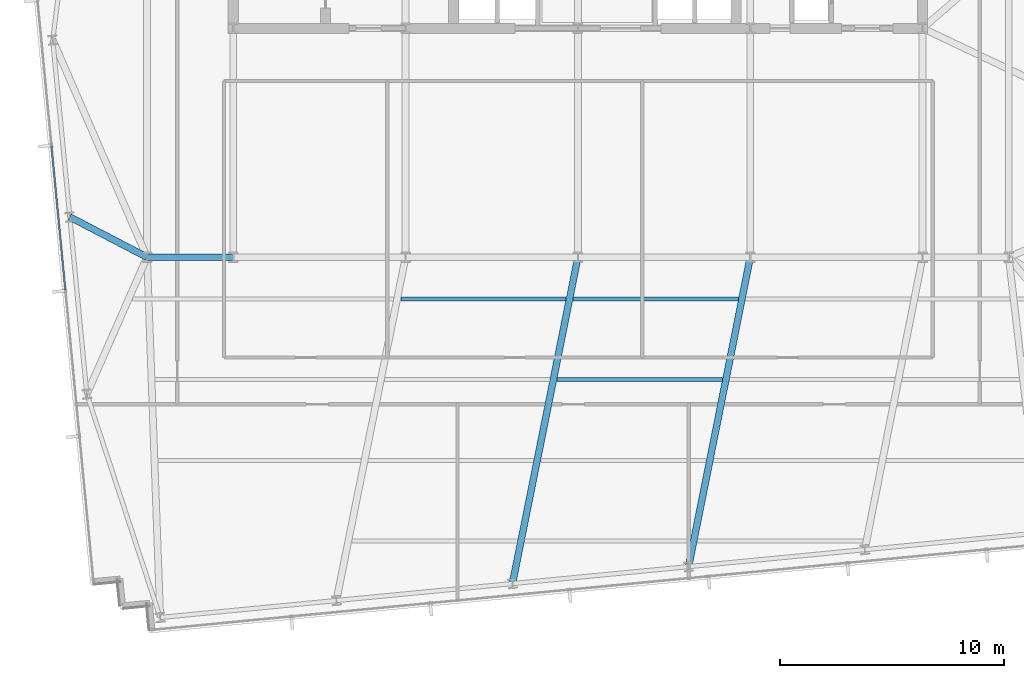
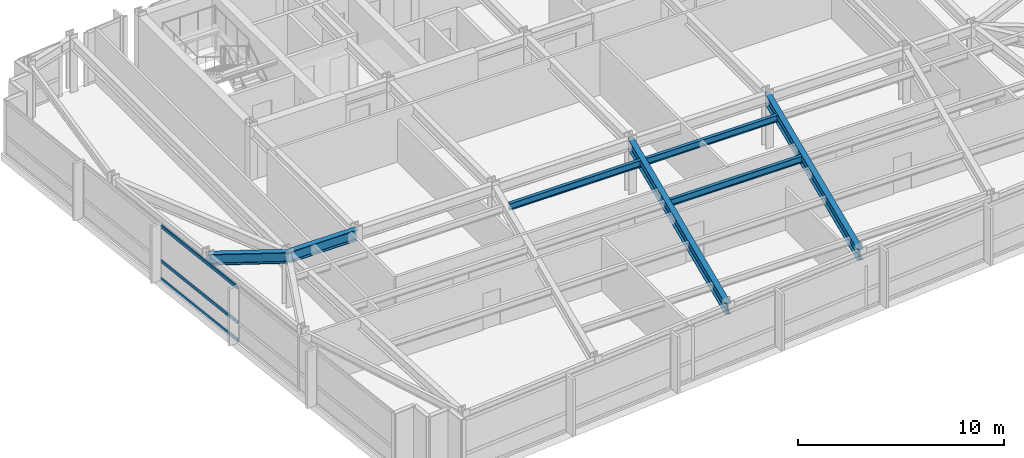
# One storey, part 6 of 33: 7 beams, 3 members, 1 element without a shape of its own.
"""IFC4 building model written with IfcOpenShell, lengths in metres."""

from ifc_helpers import new_model, si_unit, direction, frame, origin, origin_2d, place, context, subcontext, project, spatial, hollow_rectangle, i_section, extrude, material, material_profile, profile_set, type_object, element, aggregate, save


model = new_model("IFC4")

# Units and contexts
model_context = context("Model", 3, precision=1e-05, world=origin(), true_north=direction((0.0, 1.0)))
body_context = subcontext(model_context, "Body", "Model", "MODEL_VIEW")
ifc_project = project(units=[si_unit("LENGTHUNIT", "METRE"), si_unit("AREAUNIT", "SQUARE_METRE"), si_unit("VOLUMEUNIT", "CUBIC_METRE"), si_unit("PLANEANGLEUNIT", "RADIAN"), si_unit("MASSUNIT", "GRAM", prefix="KILO")], contexts=[model_context])

# Site, building, storey
site_placement = place(None, origin())
site = spatial("IfcSite", under=ifc_project, at=site_placement, CompositionType="ELEMENT")
building_placement = place(site_placement, origin())
building = spatial("IfcBuilding", under=site, at=building_placement, Name="Yelkora Congress Tower", CompositionType="ELEMENT")
storey_placement = place(building_placement, frame((0.0, 0.0, 89.699951171875)))
storey = spatial("IfcBuildingStorey", under=building, at=storey_placement, Name="L23", CompositionType="ELEMENT", Elevation=89.699951171875)

# Beams
ifc_material_1 = material(Name="Steel S355J2", Category="steel")
ifc_material_profile_1 = material_profile(ifc_material_1, i_section(OverallWidth=0.300048828125, OverallDepth=0.64990234375, WebThickness=0.01611328125, FlangeThickness=0.031005859375, FilletRadius=0.027099609375, at=origin_2d()), Name="HEB 650")
ifc_profile_set_1 = profile_set([ifc_material_profile_1], Name="Steel S355J2")
beam_type_1 = type_object("IfcBeamType", Name="BM-GIRD-HEB650", PredefinedType="BEAM", material=ifc_profile_set_1)
beam_1_placement = place(storey_placement, frame((19.199951171875, 25.199951171875, 2.85498046875), z_axis=(1.0, 0.0, 0.0), x_axis=(0.0, 1.0, 0.0)))
element("IfcBeam", 1, at=beam_1_placement, inside=storey, type_object=beam_type_1, Name="L23 Spine Grid D Girder 1", PredefinedType="BEAM", context=body_context, shape_type="SweptSolid", body=[
    extrude(i_section(OverallWidth=0.300048828125, OverallDepth=0.64990234375, WebThickness=0.01611328125, FlangeThickness=0.031005859375, FilletRadius=0.027099609375, at=origin_2d()), origin(), (0.0, 0.0, 1.0), 3.840087890625),
])
beam_2_placement = place(storey_placement, frame((35.48486328125, 10.656005859375, 2.85498046875), z_axis=(0.196521264673, 0.980499562739, 0.0), x_axis=(-0.980499562739, 0.196521264673, 0.0)))
element("IfcBeam", 2, at=beam_2_placement, inside=storey, type_object=beam_type_1, Name="L23 Primary Frame Girder S03", PredefinedType="BEAM", context=body_context, shape_type="SweptSolid", body=[
    extrude(i_section(OverallWidth=0.300048828125, OverallDepth=0.64990234375, WebThickness=0.01611328125, FlangeThickness=0.031005859375, FilletRadius=0.027099609375, at=origin_2d()), origin(), (0.0, 0.0, 1.0), 14.833251953125),
])
beam_3_placement = place(storey_placement, frame((43.334228515625, 11.411865234375, 2.85498046875), z_axis=(0.195311238928, 0.980741311432, 0.0), x_axis=(-0.980741311432, 0.195311238928, 0.0)))
element("IfcBeam", 3, at=beam_3_placement, inside=storey, type_object=beam_type_1, Name="L23 Primary Frame Girder S04", PredefinedType="BEAM", context=body_context, shape_type="SweptSolid", body=[
    extrude(i_section(OverallWidth=0.300048828125, OverallDepth=0.64990234375, WebThickness=0.01611328125, FlangeThickness=0.031005859375, FilletRadius=0.027099609375, at=origin_2d()), origin(), (0.0, 0.0, 1.0), 14.058837890625),
])
beam_4_placement = place(storey_placement, frame((15.757080078125, 26.990478515625, 2.85498046875), z_axis=(0.887192078676, -0.461400276912, 0.0), x_axis=(0.461400276912, 0.887192078676, 0.0)))
element("IfcBeam", 4, at=beam_4_placement, inside=storey, type_object=beam_type_1, Name="L23 Primary Frame Girder W02", PredefinedType="BEAM", context=body_context, shape_type="SweptSolid", body=[
    extrude(i_section(OverallWidth=0.300048828125, OverallDepth=0.64990234375, WebThickness=0.01611328125, FlangeThickness=0.031005859375, FilletRadius=0.027099609375, at=origin_2d()), origin(), (0.0, 0.0, 1.0), 3.880615234375),
])
ifc_material_profile_2 = material_profile(ifc_material_1, i_section(OverallWidth=0.179931640625, OverallDepth=0.39990234375, WebThickness=0.008544921875, FlangeThickness=0.013427734375, FilletRadius=0.02099609375, at=origin_2d()), Name="IPE 400")
ifc_profile_set_2 = profile_set([ifc_material_profile_2], Name="Steel S355J2")
beam_type_2 = type_object("IfcBeamType", Name="BM-JOIST-IPE400", PredefinedType="JOIST", material=ifc_profile_set_2)
beam_5_placement = place(storey_placement, frame((37.466552734375, 19.744384765625, 2.97998046875), z_axis=(1.0, 0.0, 0.0), x_axis=(0.0, 1.0, 0.0)))
element("IfcBeam", 5, at=beam_5_placement, inside=storey, type_object=beam_type_2, Name="L23 Composite Floor Joist 13", PredefinedType="JOIST", context=body_context, shape_type="SweptSolid", body=[
    extrude(i_section(OverallWidth=0.179931640625, OverallDepth=0.39990234375, WebThickness=0.008544921875, FlangeThickness=0.013427734375, FilletRadius=0.02099609375, at=origin_2d()), origin(), (0.0, 0.0, 1.0), 7.366943359375),
])
beam_6_placement = place(storey_placement, frame((30.505859375, 23.344482421875, 2.97998046875), z_axis=(1.0, 0.0, 0.0), x_axis=(0.0, 1.0, 0.0)))
element("IfcBeam", 6, at=beam_6_placement, inside=storey, type_object=beam_type_2, Name="L23 Composite Floor Joist 19", PredefinedType="JOIST", context=body_context, shape_type="SweptSolid", body=[
    extrude(i_section(OverallWidth=0.179931640625, OverallDepth=0.39990234375, WebThickness=0.008544921875, FlangeThickness=0.013427734375, FilletRadius=0.02099609375, at=origin_2d()), origin(), (0.0, 0.0, 1.0), 7.3623046875),
])
beam_7_placement = place(storey_placement, frame((38.18798828125, 23.344482421875, 2.97998046875), z_axis=(1.0, 0.0, 0.0), x_axis=(0.0, 1.0, 0.0)))
element("IfcBeam", 7, at=beam_7_placement, inside=storey, type_object=beam_type_2, Name="L23 Composite Floor Joist 20", PredefinedType="JOIST", context=body_context, shape_type="SweptSolid", body=[
    extrude(i_section(OverallWidth=0.179931640625, OverallDepth=0.39990234375, WebThickness=0.008544921875, FlangeThickness=0.013427734375, FilletRadius=0.02099609375, at=origin_2d()), origin(), (0.0, 0.0, 1.0), 7.362548828125),
])

# Curtain wall, members
ifc_material_2 = material(Name="Anodised aluminium and insulated glass", Category="aluminium")
curtain_wall_type = type_object("IfcCurtainWallType", Name="CW-SYS-SKY", PredefinedType="NOTDEFINED", material=ifc_material_2)
curtain_wall_placement = place(storey_placement, origin())
curtain_wall = element("IfcCurtainWall", 8, at=curtain_wall_placement, inside=storey, type_object=curtain_wall_type, Name="L23 Unitised Curtain Wall 5", PredefinedType="NOTDEFINED")
ifc_material_3 = material(Name="Anodised aluminium 6063-T6", Category="aluminium")
ifc_material_profile_3 = material_profile(ifc_material_3, hollow_rectangle(XDim=0.070068359375, YDim=0.18994140625, WallThickness=0.00390625, at=origin_2d()), Name="ALU 70x190x4")
ifc_profile_set_3 = profile_set([ifc_material_profile_3], Name="Anodised aluminium 6063-T6")
member_type = type_object("IfcMemberType", Name="MEM-TR-SKY", PredefinedType="USERDEFINED", material=ifc_profile_set_3)
member_1_placement = place(storey_placement, frame((15.557373046875, 23.741943359375, 0.03515625), z_axis=(-0.095848441597, 0.995395939435, 0.0), x_axis=(-0.995395939435, -0.095848441597, 0.0)))
member_1 = element("IfcMember", 9, at=member_1_placement, type_object=member_type, Name="CW-SKY transom 3.1", ObjectType="TRANSOM", PredefinedType="USERDEFINED", context=body_context, shape_type="SweptSolid", body=[
    extrude(hollow_rectangle(XDim=0.070068359375, YDim=0.18994140625, WallThickness=0.00390625, at=origin_2d()), origin(), (0.0, 0.0, 1.0), 6.428955078125),
])
member_2_placement = place(storey_placement, frame((15.557373046875, 23.741943359375, 1.10009765625), z_axis=(-0.095848441597, 0.995395939435, 0.0), x_axis=(-0.995395939435, -0.095848441597, 0.0)))
member_2 = element("IfcMember", 10, at=member_2_placement, type_object=member_type, Name="CW-SKY transom 3.2", ObjectType="TRANSOM", PredefinedType="USERDEFINED", context=body_context, shape_type="SweptSolid", body=[
    extrude(hollow_rectangle(XDim=0.070068359375, YDim=0.18994140625, WallThickness=0.00390625, at=origin_2d()), origin(), (0.0, 0.0, 1.0), 6.428955078125),
])
member_3_placement = place(storey_placement, frame((15.557373046875, 23.741943359375, 3.14501953125), z_axis=(-0.095848441597, 0.995395939435, 0.0), x_axis=(-0.995395939435, -0.095848441597, 0.0)))
member_3 = element("IfcMember", 11, at=member_3_placement, type_object=member_type, Name="CW-SKY transom 3.3", ObjectType="TRANSOM", PredefinedType="USERDEFINED", context=body_context, shape_type="SweptSolid", body=[
    extrude(hollow_rectangle(XDim=0.070068359375, YDim=0.18994140625, WallThickness=0.00390625, at=origin_2d()), origin(), (0.0, 0.0, 1.0), 6.428955078125),
])
aggregate(curtain_wall, [member_1, member_2, member_3])

save(model, "model.ifc")
